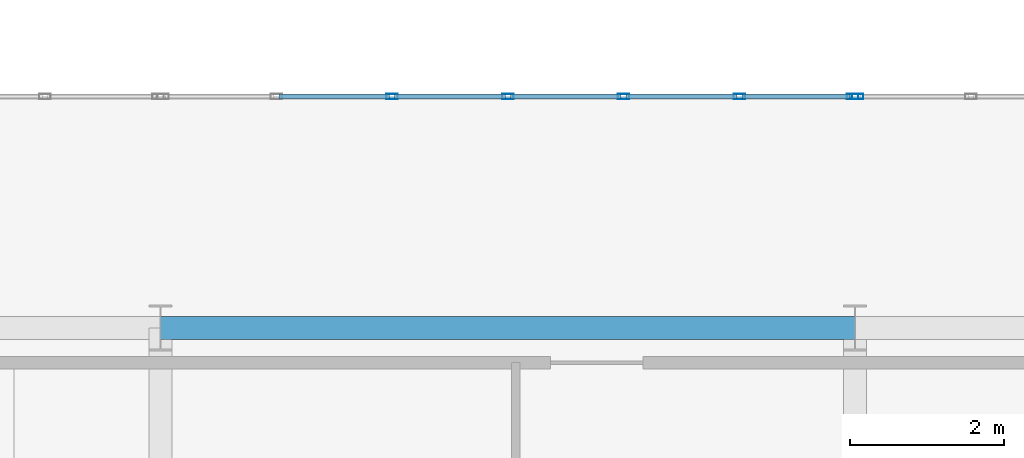
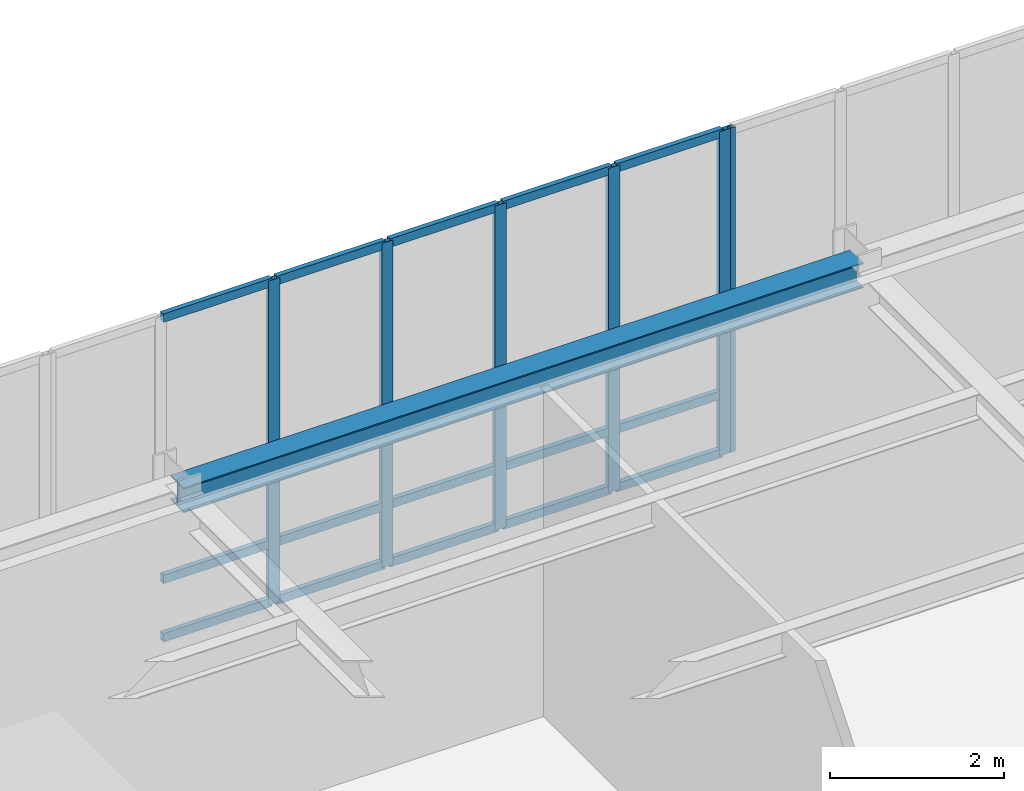
# One storey, part 20 of 92: 21 members, 1 beam, 2 elements without a shape of their own.
"""IFC4 building model written with IfcOpenShell, lengths in metres."""

from ifc_helpers import new_model, si_unit, direction, frame, origin, origin_2d, place, context, subcontext, project, spatial, hollow_rectangle, i_section, extrude, material, material_profile, profile_set, type_object, element, aggregate, save


model = new_model("IFC4")

# Units and contexts
model_context = context("Model", 3, precision=1e-05, world=origin(), true_north=direction((0.0, 1.0)))
body_context = subcontext(model_context, "Body", "Model", "MODEL_VIEW")
ifc_project = project(units=[si_unit("LENGTHUNIT", "METRE"), si_unit("AREAUNIT", "SQUARE_METRE"), si_unit("VOLUMEUNIT", "CUBIC_METRE"), si_unit("PLANEANGLEUNIT", "RADIAN"), si_unit("MASSUNIT", "GRAM", prefix="KILO")], contexts=[model_context])

# Site, building, storey
site_placement = place(None, origin())
site = spatial("IfcSite", under=ifc_project, at=site_placement, CompositionType="ELEMENT")
building_placement = place(site_placement, origin())
building = spatial("IfcBuilding", under=site, at=building_placement, Name="Lykobir Media Centre", CompositionType="ELEMENT")
storey_placement = place(building_placement, frame((0.0, 0.0, 5.39990234375)))
storey = spatial("IfcBuildingStorey", under=building, at=storey_placement, Name="L01", CompositionType="ELEMENT", Elevation=5.39990234375)

# Curtain wall, members
ifc_material_1 = material(Name="Anodized Aluminium AW-6060", Category="aluminium")
curtain_wall_type = type_object("IfcCurtainWallType", Name="CW-COURT-A", PredefinedType="NOTDEFINED", material=ifc_material_1)
curtain_wall_1_placement = place(storey_placement, origin())
curtain_wall_1 = element("IfcCurtainWall", 1, at=curtain_wall_1_placement, inside=storey, type_object=curtain_wall_type, Name="Curtain wall CW2-L01-0046", PredefinedType="NOTDEFINED")
ifc_material_profile_1 = material_profile(ifc_material_1, hollow_rectangle(XDim=0.06494140625, YDim=0.14990234375, WallThickness=0.00341796875, at=origin_2d()), Name="ALU MULLION 65x150")
ifc_profile_set_1 = profile_set([ifc_material_profile_1], Name="Anodized Aluminium AW-6060")
member_type_1 = type_object("IfcMemberType", Name="CWM-150", PredefinedType="MULLION", material=ifc_profile_set_1)
member_1_placement = place(storey_placement, frame((57.0, 21.0, 0.0), z_axis=(0.0, 0.0, 1.0), x_axis=(0.0, 1.0, 0.0)))
member_1 = element("IfcMember", 2, at=member_1_placement, type_object=member_type_1, Name="CW2-L01-0046 mullion 3", PredefinedType="MULLION", context=body_context, shape_type="SweptSolid", body=[
    extrude(hollow_rectangle(XDim=0.06494140625, YDim=0.14990234375, WallThickness=0.00341796875, at=origin_2d()), origin(), (0.0, 0.0, 1.0), 4.5400390625),
])
member_2_placement = place(storey_placement, frame((58.5, 21.0, 0.0), z_axis=(0.0, 0.0, 1.0), x_axis=(0.0, 1.0, 0.0)))
member_2 = element("IfcMember", 3, at=member_2_placement, type_object=member_type_1, Name="CW2-L01-0046 mullion 4", PredefinedType="MULLION", context=body_context, shape_type="SweptSolid", body=[
    extrude(hollow_rectangle(XDim=0.06494140625, YDim=0.14990234375, WallThickness=0.00341796875, at=origin_2d()), origin(), (0.0, 0.0, 1.0), 4.5400390625),
])
member_3_placement = place(storey_placement, frame((60.0, 21.0, 0.0), z_axis=(0.0, 0.0, 1.0), x_axis=(0.0, 1.0, 0.0)))
member_3 = element("IfcMember", 4, at=member_3_placement, type_object=member_type_1, Name="CW2-L01-0046 mullion 5", PredefinedType="MULLION", context=body_context, shape_type="SweptSolid", body=[
    extrude(hollow_rectangle(XDim=0.06494140625, YDim=0.14990234375, WallThickness=0.00341796875, at=origin_2d()), origin(), (0.0, 0.0, 1.0), 4.5400390625),
])
member_4_placement = place(storey_placement, frame((61.5, 21.0, 0.0), z_axis=(0.0, 0.0, 1.0), x_axis=(0.0, 1.0, 0.0)))
member_4 = element("IfcMember", 5, at=member_4_placement, type_object=member_type_1, Name="CW2-L01-0046 mullion 6", PredefinedType="MULLION", context=body_context, shape_type="SweptSolid", body=[
    extrude(hollow_rectangle(XDim=0.06494140625, YDim=0.14990234375, WallThickness=0.00341796875, at=origin_2d()), origin(), (0.0, 0.0, 1.0), 4.5400390625),
])
member_5_placement = place(storey_placement, frame((62.967529296875, 21.0, 0.0), z_axis=(0.0, 0.0, 1.0), x_axis=(0.0, 1.0, 0.0)))
member_5 = element("IfcMember", 6, at=member_5_placement, type_object=member_type_1, Name="CW2-L01-0046 mullion 7", PredefinedType="MULLION", context=body_context, shape_type="SweptSolid", body=[
    extrude(hollow_rectangle(XDim=0.06494140625, YDim=0.14990234375, WallThickness=0.00341796875, at=origin_2d()), origin(), (0.0, 0.0, 1.0), 4.5400390625),
])

# Curtain wall, member
curtain_wall_2_placement = place(storey_placement, origin())
curtain_wall_2 = element("IfcCurtainWall", 7, at=curtain_wall_2_placement, inside=storey, type_object=curtain_wall_type, Name="Curtain wall CW2-L01-0047", PredefinedType="NOTDEFINED")
member_6_placement = place(storey_placement, frame((63.032470703125, 21.0, 0.0), z_axis=(0.0, 0.0, 1.0), x_axis=(0.0, 1.0, 0.0)))
member_6 = element("IfcMember", 8, at=member_6_placement, type_object=member_type_1, Name="CW2-L01-0047 mullion 1", PredefinedType="MULLION", context=body_context, shape_type="SweptSolid", body=[
    extrude(hollow_rectangle(XDim=0.06494140625, YDim=0.14990234375, WallThickness=0.00341796875, at=origin_2d()), origin(), (0.0, 0.0, 1.0), 4.5400390625),
])
aggregate(curtain_wall_2, [member_6])

# Member
ifc_material_profile_2 = material_profile(ifc_material_1, hollow_rectangle(XDim=0.06494140625, YDim=0.1201171875, WallThickness=0.0029296875, at=origin_2d()), Name="ALU TRANSOM 65x120")
ifc_profile_set_2 = profile_set([ifc_material_profile_2], Name="Anodized Aluminium AW-6060")
member_type_2 = type_object("IfcMemberType", Name="CWT-120", PredefinedType="USERDEFINED", material=ifc_profile_set_2)
member_7_placement = place(storey_placement, frame((55.532470703125, 21.0, 0.03271484375), z_axis=(1.0, 0.0, 0.0), x_axis=(0.0, 1.0, 0.0)))
member_7 = element("IfcMember", 9, at=member_7_placement, type_object=member_type_2, Name="CW2-L01-0046 transom 2.1", ObjectType="TRANSOM", PredefinedType="USERDEFINED", context=body_context, shape_type="SweptSolid", body=[
    extrude(hollow_rectangle(XDim=0.06494140625, YDim=0.1201171875, WallThickness=0.0029296875, at=origin_2d()), origin(), (0.0, 0.0, 1.0), 1.43505859375),
])

member_8_placement = place(storey_placement, frame((55.532470703125, 21.0, 0.85009765625), z_axis=(1.0, 0.0, 0.0), x_axis=(0.0, 1.0, 0.0)))
member_8 = element("IfcMember", 10, at=member_8_placement, type_object=member_type_2, Name="CW2-L01-0046 transom 2.2", ObjectType="TRANSOM", PredefinedType="USERDEFINED", context=body_context, shape_type="SweptSolid", body=[
    extrude(hollow_rectangle(XDim=0.06494140625, YDim=0.1201171875, WallThickness=0.0029296875, at=origin_2d()), origin(), (0.0, 0.0, 1.0), 1.43505859375),
])

member_9_placement = place(storey_placement, frame((55.532470703125, 21.0, 4.507568359375), z_axis=(1.0, 0.0, 0.0), x_axis=(0.0, 1.0, 0.0)))
member_9 = element("IfcMember", 11, at=member_9_placement, type_object=member_type_2, Name="CW2-L01-0046 transom 2.3", ObjectType="TRANSOM", PredefinedType="USERDEFINED", context=body_context, shape_type="SweptSolid", body=[
    extrude(hollow_rectangle(XDim=0.06494140625, YDim=0.1201171875, WallThickness=0.0029296875, at=origin_2d()), origin(), (0.0, 0.0, 1.0), 1.43505859375),
])

member_10_placement = place(storey_placement, frame((57.032470703125, 21.0, 0.03271484375), z_axis=(1.0, 0.0, 0.0), x_axis=(0.0, 1.0, 0.0)))
member_10 = element("IfcMember", 12, at=member_10_placement, type_object=member_type_2, Name="CW2-L01-0046 transom 3.1", ObjectType="TRANSOM", PredefinedType="USERDEFINED", context=body_context, shape_type="SweptSolid", body=[
    extrude(hollow_rectangle(XDim=0.06494140625, YDim=0.1201171875, WallThickness=0.0029296875, at=origin_2d()), origin(), (0.0, 0.0, 1.0), 1.43505859375),
])

member_11_placement = place(storey_placement, frame((57.032470703125, 21.0, 0.85009765625), z_axis=(1.0, 0.0, 0.0), x_axis=(0.0, 1.0, 0.0)))
member_11 = element("IfcMember", 13, at=member_11_placement, type_object=member_type_2, Name="CW2-L01-0046 transom 3.2", ObjectType="TRANSOM", PredefinedType="USERDEFINED", context=body_context, shape_type="SweptSolid", body=[
    extrude(hollow_rectangle(XDim=0.06494140625, YDim=0.1201171875, WallThickness=0.0029296875, at=origin_2d()), origin(), (0.0, 0.0, 1.0), 1.43505859375),
])

member_12_placement = place(storey_placement, frame((57.032470703125, 21.0, 4.507568359375), z_axis=(1.0, 0.0, 0.0), x_axis=(0.0, 1.0, 0.0)))
member_12 = element("IfcMember", 14, at=member_12_placement, type_object=member_type_2, Name="CW2-L01-0046 transom 3.3", ObjectType="TRANSOM", PredefinedType="USERDEFINED", context=body_context, shape_type="SweptSolid", body=[
    extrude(hollow_rectangle(XDim=0.06494140625, YDim=0.1201171875, WallThickness=0.0029296875, at=origin_2d()), origin(), (0.0, 0.0, 1.0), 1.43505859375),
])

member_13_placement = place(storey_placement, frame((58.532470703125, 21.0, 0.03271484375), z_axis=(1.0, 0.0, 0.0), x_axis=(0.0, 1.0, 0.0)))
member_13 = element("IfcMember", 15, at=member_13_placement, type_object=member_type_2, Name="CW2-L01-0046 transom 4.1", ObjectType="TRANSOM", PredefinedType="USERDEFINED", context=body_context, shape_type="SweptSolid", body=[
    extrude(hollow_rectangle(XDim=0.06494140625, YDim=0.1201171875, WallThickness=0.0029296875, at=origin_2d()), origin(), (0.0, 0.0, 1.0), 1.43505859375),
])

member_14_placement = place(storey_placement, frame((58.532470703125, 21.0, 0.85009765625), z_axis=(1.0, 0.0, 0.0), x_axis=(0.0, 1.0, 0.0)))
member_14 = element("IfcMember", 16, at=member_14_placement, type_object=member_type_2, Name="CW2-L01-0046 transom 4.2", ObjectType="TRANSOM", PredefinedType="USERDEFINED", context=body_context, shape_type="SweptSolid", body=[
    extrude(hollow_rectangle(XDim=0.06494140625, YDim=0.1201171875, WallThickness=0.0029296875, at=origin_2d()), origin(), (0.0, 0.0, 1.0), 1.43505859375),
])

member_15_placement = place(storey_placement, frame((58.532470703125, 21.0, 4.507568359375), z_axis=(1.0, 0.0, 0.0), x_axis=(0.0, 1.0, 0.0)))
member_15 = element("IfcMember", 17, at=member_15_placement, type_object=member_type_2, Name="CW2-L01-0046 transom 4.3", ObjectType="TRANSOM", PredefinedType="USERDEFINED", context=body_context, shape_type="SweptSolid", body=[
    extrude(hollow_rectangle(XDim=0.06494140625, YDim=0.1201171875, WallThickness=0.0029296875, at=origin_2d()), origin(), (0.0, 0.0, 1.0), 1.43505859375),
])

member_16_placement = place(storey_placement, frame((60.032470703125, 21.0, 0.03271484375), z_axis=(1.0, 0.0, 0.0), x_axis=(0.0, 1.0, 0.0)))
member_16 = element("IfcMember", 18, at=member_16_placement, type_object=member_type_2, Name="CW2-L01-0046 transom 5.1", ObjectType="TRANSOM", PredefinedType="USERDEFINED", context=body_context, shape_type="SweptSolid", body=[
    extrude(hollow_rectangle(XDim=0.06494140625, YDim=0.1201171875, WallThickness=0.0029296875, at=origin_2d()), origin(), (0.0, 0.0, 1.0), 1.43505859375),
])

member_17_placement = place(storey_placement, frame((60.032470703125, 21.0, 0.85009765625), z_axis=(1.0, 0.0, 0.0), x_axis=(0.0, 1.0, 0.0)))
member_17 = element("IfcMember", 19, at=member_17_placement, type_object=member_type_2, Name="CW2-L01-0046 transom 5.2", ObjectType="TRANSOM", PredefinedType="USERDEFINED", context=body_context, shape_type="SweptSolid", body=[
    extrude(hollow_rectangle(XDim=0.06494140625, YDim=0.1201171875, WallThickness=0.0029296875, at=origin_2d()), origin(), (0.0, 0.0, 1.0), 1.43505859375),
])

member_18_placement = place(storey_placement, frame((60.032470703125, 21.0, 4.507568359375), z_axis=(1.0, 0.0, 0.0), x_axis=(0.0, 1.0, 0.0)))
member_18 = element("IfcMember", 20, at=member_18_placement, type_object=member_type_2, Name="CW2-L01-0046 transom 5.3", ObjectType="TRANSOM", PredefinedType="USERDEFINED", context=body_context, shape_type="SweptSolid", body=[
    extrude(hollow_rectangle(XDim=0.06494140625, YDim=0.1201171875, WallThickness=0.0029296875, at=origin_2d()), origin(), (0.0, 0.0, 1.0), 1.43505859375),
])

member_19_placement = place(storey_placement, frame((61.532470703125, 21.0, 0.03271484375), z_axis=(1.0, 0.0, 0.0), x_axis=(0.0, 1.0, 0.0)))
member_19 = element("IfcMember", 21, at=member_19_placement, type_object=member_type_2, Name="CW2-L01-0046 transom 6.1", ObjectType="TRANSOM", PredefinedType="USERDEFINED", context=body_context, shape_type="SweptSolid", body=[
    extrude(hollow_rectangle(XDim=0.06494140625, YDim=0.1201171875, WallThickness=0.0029296875, at=origin_2d()), origin(), (0.0, 0.0, 1.0), 1.402587890625),
])

member_20_placement = place(storey_placement, frame((61.532470703125, 21.0, 0.85009765625), z_axis=(1.0, 0.0, 0.0), x_axis=(0.0, 1.0, 0.0)))
member_20 = element("IfcMember", 22, at=member_20_placement, type_object=member_type_2, Name="CW2-L01-0046 transom 6.2", ObjectType="TRANSOM", PredefinedType="USERDEFINED", context=body_context, shape_type="SweptSolid", body=[
    extrude(hollow_rectangle(XDim=0.06494140625, YDim=0.1201171875, WallThickness=0.0029296875, at=origin_2d()), origin(), (0.0, 0.0, 1.0), 1.402587890625),
])

member_21_placement = place(storey_placement, frame((61.532470703125, 21.0, 4.507568359375), z_axis=(1.0, 0.0, 0.0), x_axis=(0.0, 1.0, 0.0)))
member_21 = element("IfcMember", 23, at=member_21_placement, type_object=member_type_2, Name="CW2-L01-0046 transom 6.3", ObjectType="TRANSOM", PredefinedType="USERDEFINED", context=body_context, shape_type="SweptSolid", body=[
    extrude(hollow_rectangle(XDim=0.06494140625, YDim=0.1201171875, WallThickness=0.0029296875, at=origin_2d()), origin(), (0.0, 0.0, 1.0), 1.402587890625),
])

aggregate(curtain_wall_1, [member_1, member_2, member_3, member_4, member_5, member_7, member_8, member_9, member_10, member_11, member_12, member_13, member_14, member_15, member_16, member_17, member_18, member_19, member_20, member_21])

# Beam
ifc_material_2 = material(Name="Steel S355", Category="steel")
ifc_material_profile_3 = material_profile(ifc_material_2, i_section(OverallWidth=0.300048828125, OverallDepth=0.35009765625, WebThickness=0.010009765625, FlangeThickness=0.017578125, at=origin_2d()), Name="HEA 360")
ifc_profile_set_3 = profile_set([ifc_material_profile_3], Name="Steel S355")
beam_type = type_object("IfcBeamType", Name="SP-HEA360", PredefinedType="SPANDREL", material=ifc_profile_set_3)
beam_placement = place(storey_placement, frame((54.0, 18.0, 4.385009765625), z_axis=(1.0, 0.0, 0.0), x_axis=(0.0, 1.0, 0.0)))
element("IfcBeam", 24, at=beam_placement, inside=storey, type_object=beam_type, Name="Beam BM-L01-0540-0180-0630-0180-978", PredefinedType="SPANDREL", context=body_context, shape_type="SweptSolid", body=[
    extrude(i_section(OverallWidth=0.300048828125, OverallDepth=0.35009765625, WebThickness=0.010009765625, FlangeThickness=0.017578125, at=origin_2d()), origin(), (0.0, 0.0, 1.0), 9.0),
])

save(model, "model.ifc")
